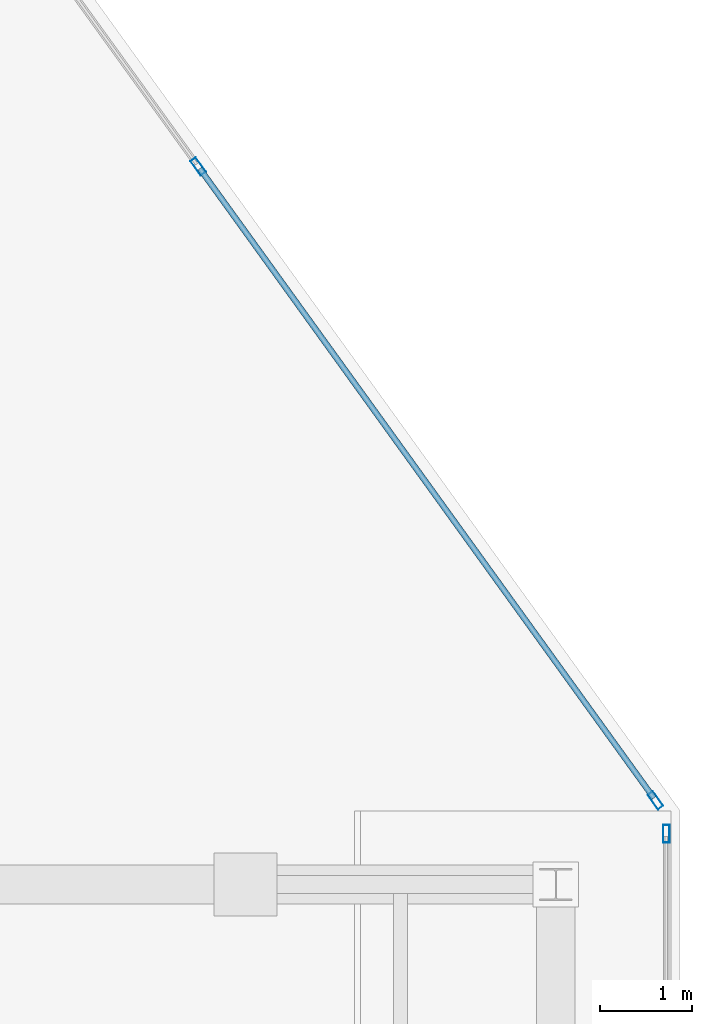
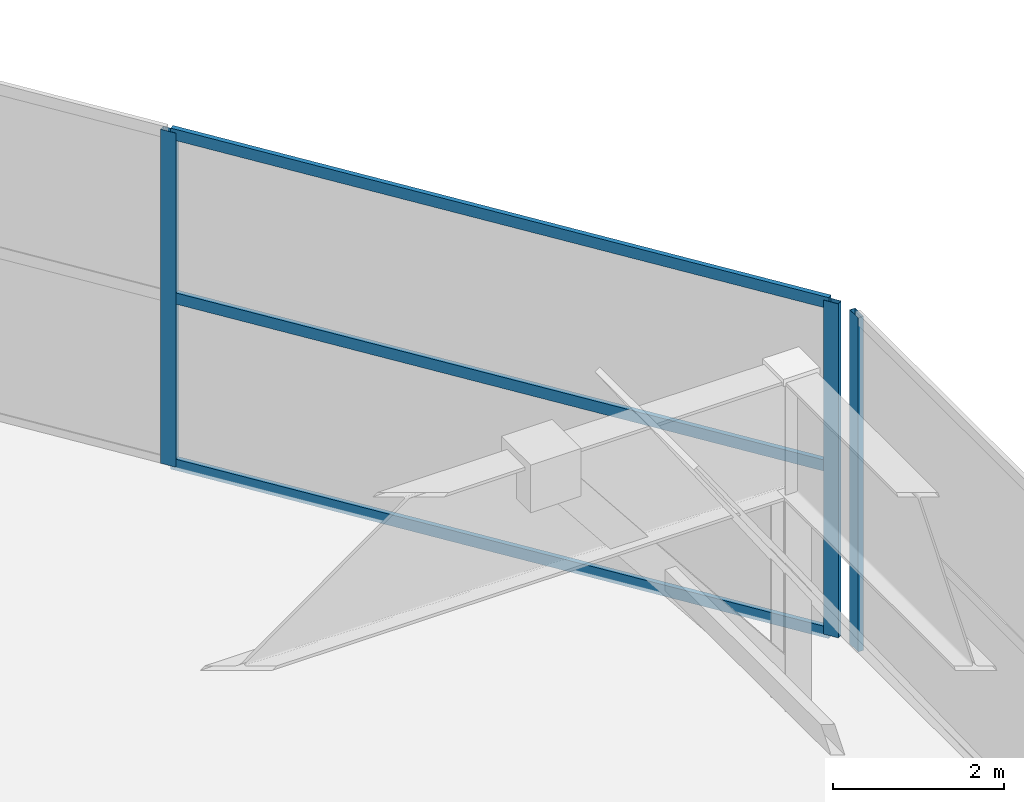
# One storey, part 12 of 21: 6 members, 2 elements without a shape of their own.
"""IFC4 building model written with IfcOpenShell, lengths in metres."""

import ifcopenshell
import ifcopenshell.guid

model = None  # the IFC model being written
_history = None  # IfcOwnerHistory: only IFC2X3 demands one
_inside = {}  # id of a spatial element -> (the spatial element, [elements in it])
_under = {}  # id of a project, library or spatial element -> (it, [spatial elements below it])
_declared = {}  # id of a project -> (the project, [libraries it declares])
_typed = {}  # id of a type object -> (the type object, [elements of that type])
_made_of = {}  # id of a material, layer set ... -> (it, [elements and type objects made of it])


def new_model(schema):
    """Start an empty IFC model of exactly this schema.

    Asked for "IFC4X3", IfcOpenShell would pick the latest addendum, in which some entities
    have other attributes; the version numbers below select the first issue.
    IFC2X3 requires an IfcOwnerHistory on every rooted entity: one is made here for all.
    """
    global model, _history
    if schema == "IFC4X3":
        model = ifcopenshell.file(schema_version=(4, 3, 0, 0))
    else:
        model = ifcopenshell.file(schema=schema)
    _inside.clear()
    _under.clear()
    _declared.clear()
    _typed.clear()
    _made_of.clear()
    _history = None
    if model.schema == "IFC2X3":
        org = make("IfcOrganization", Name="unknown")
        user = make(
            "IfcPersonAndOrganization",
            ThePerson=make("IfcPerson", FamilyName="unknown"),
            TheOrganization=org,
        )
        app = make(
            "IfcApplication",
            ApplicationDeveloper=org,
            Version="unknown",
            ApplicationFullName="unknown",
            ApplicationIdentifier="unknown",
        )
        _history = make(
            "IfcOwnerHistory",
            OwningUser=user,
            OwningApplication=app,
            ChangeAction="ADDED",
            CreationDate=0,
        )
    return model


def make(cls, **values):
    """One entity of the class cls with the attributes given. An attribute that is None is left unset."""
    return model.create_entity(
        cls, **{name: value for name, value in values.items() if value is not None}
    )


def rooted(cls, **values):
    """An entity with a GlobalId (a new one), such as an element, a storey or a relation."""
    return make(cls, GlobalId=ifcopenshell.guid.new(), OwnerHistory=_history, **values)


def si_unit(unit_type, name, prefix=None):
    """IfcSIUnit, for example si_unit("LENGTHUNIT", "METRE", prefix="MILLI")."""
    return make("IfcSIUnit", UnitType=unit_type, Prefix=prefix, Name=name)


def assignment(units):
    """IfcUnitAssignment: the units of a project."""
    return None if units is None else make("IfcUnitAssignment", Units=units)


def point(xyz):
    """IfcCartesianPoint."""
    return None if xyz is None else make("IfcCartesianPoint", Coordinates=xyz)


def direction(xyz):
    """IfcDirection."""
    return None if xyz is None else make("IfcDirection", DirectionRatios=xyz)


def frame(location, z_axis=None, x_axis=None):
    """IfcAxis2Placement3D, a coordinate frame: its origin and axes. An axis left out is left unset."""
    return make(
        "IfcAxis2Placement3D",
        Location=point(location),
        Axis=direction(z_axis),
        RefDirection=direction(x_axis),
    )


def frame_2d(location, x_axis=None):
    """IfcAxis2Placement2D, a coordinate frame in the plane: its origin and x axis."""
    return make(
        "IfcAxis2Placement2D", Location=point(location), RefDirection=direction(x_axis)
    )


def origin():
    """The frame at (0, 0, 0) with its axes left unset."""
    return frame((0.0, 0.0, 0.0))


def origin_2d():
    """The frame at (0, 0) in the plane with its x axis left unset."""
    return frame_2d((0.0, 0.0))


def place(relative_to, where):
    """IfcLocalPlacement: puts the frame where relative to a parent placement (None: the world)."""
    return make(
        "IfcLocalPlacement", PlacementRelTo=relative_to, RelativePlacement=where
    )


def context(
    kind, dimensions, precision=None, world=None, true_north=None, identifier=None
):
    """IfcGeometricRepresentationContext, for example the 3D "Model" context."""
    return make(
        "IfcGeometricRepresentationContext",
        ContextIdentifier=identifier,
        ContextType=kind,
        CoordinateSpaceDimension=dimensions,
        Precision=precision,
        WorldCoordinateSystem=world,
        TrueNorth=true_north,
    )


def subcontext(parent, identifier, kind, view, scale=None):
    """IfcGeometricRepresentationSubContext, for example "Body" below "Model"."""
    return make(
        "IfcGeometricRepresentationSubContext",
        ContextIdentifier=identifier,
        ContextType=kind,
        ParentContext=parent,
        TargetScale=scale,
        TargetView=view,
    )


def project(units=None, contexts=None):
    """IfcProject with its units and contexts."""
    return rooted(
        "IfcProject",
        Name="project",
        RepresentationContexts=contexts,
        UnitsInContext=assignment(units),
    )


def spatial(cls, under=None, at=None, **own):
    """A site, building, storey or space (cls), placed at a placement, below another one or the project."""
    s = rooted(cls, ObjectPlacement=at, **own)
    if under is not None:
        _under.setdefault(under.id(), (under, []))[1].append(s)
    return s


def profile(cls, at=None, kind="AREA", **sizes):
    """A parametric profile (cls). Its sizes go by their IFC names, for example OverallWidth=200.0."""
    return make(cls, ProfileType=kind, Position=at, **sizes)


def hollow_rectangle(**sizes):
    """IfcRectangleHollowProfileDef."""
    return profile("IfcRectangleHollowProfileDef", **sizes)


def extrude(swept, where, along, depth):
    """IfcExtrudedAreaSolid: the profile swept, set in the frame where, extruded along a direction by depth."""
    return make(
        "IfcExtrudedAreaSolid",
        SweptArea=swept,
        Position=where,
        ExtrudedDirection=direction(along),
        Depth=depth,
    )


def shape(context_of_items, identifier, shape_type, items):
    """IfcShapeRepresentation: the items that make up one representation, for example the "Body"."""
    return make(
        "IfcShapeRepresentation",
        ContextOfItems=context_of_items,
        RepresentationIdentifier=identifier,
        RepresentationType=shape_type,
        Items=items,
    )


def material(Name=None, Category=None):
    """IfcMaterial."""
    return make("IfcMaterial", Name=Name, Category=Category)


def layer(
    of_material, thickness, ventilated=None, Name=None, Category=None, Priority=None
):
    """IfcMaterialLayer: one layer of a wall or slab, of a material (None: an air gap)."""
    return make(
        "IfcMaterialLayer",
        Material=of_material,
        LayerThickness=thickness,
        IsVentilated=ventilated,
        Name=Name,
        Category=Category,
        Priority=Priority,
    )


def layer_set(layers, Name=None):
    """IfcMaterialLayerSet."""
    return make("IfcMaterialLayerSet", MaterialLayers=layers, LayerSetName=Name)


def material_profile(
    of_material, cross_section, Name=None, Category=None, Priority=None
):
    """IfcMaterialProfile: a cross section and its material."""
    return make(
        "IfcMaterialProfile",
        Name=Name,
        Material=of_material,
        Profile=cross_section,
        Priority=Priority,
        Category=Category,
    )


def profile_set(profiles, Name=None, composite=None):
    """IfcMaterialProfileSet."""
    return make(
        "IfcMaterialProfileSet",
        Name=Name,
        MaterialProfiles=profiles,
        CompositeProfile=composite,
    )


def made_of(thing, what):
    """Note that an element or type object is made of a material, layer set ...; save() writes the relation."""
    if what is not None:
        _made_of.setdefault(what.id(), (what, []))[1].append(thing)
    return thing


def type_object(cls, material=None, **own):
    """A type object (cls), such as IfcWallType, which elements share."""
    return made_of(rooted(cls, **own), material)


def element(
    cls,
    number,
    at=None,
    inside=None,
    cuts=None,
    type_object=None,
    material=None,
    context=None,
    identifier="Body",
    shape_type=None,
    held_by="IfcProductDefinitionShape",
    body=None,
    shapes=None,
    **own,
):
    """One element of the class cls, such as IfcWall. Its Tag is "e" and its number.

    at: its placement. inside: the storey or other place that contains it. cuts: it is an
    opening in that element (IfcRelVoidsElement). A single representation is given by context,
    identifier, shape_type and body (its items); several are given by shapes. held_by: the class
    of the entity that holds the representations. save() writes the other relations.
    """
    e = rooted(cls, Tag="e%d" % number, ObjectPlacement=at, **own)
    if body is not None:
        shapes = [shape(context, identifier, shape_type, body)]
    if shapes is not None:
        e.Representation = make(held_by, Representations=shapes)
    if inside is not None:
        _inside.setdefault(inside.id(), (inside, []))[1].append(e)
    if cuts is not None:
        rooted(
            "IfcRelVoidsElement", RelatingBuildingElement=cuts, RelatedOpeningElement=e
        )
    if type_object is not None:
        _typed.setdefault(type_object.id(), (type_object, []))[1].append(e)
    return made_of(e, material)


def aggregate(whole, parts):
    """IfcRelAggregates: a whole, such as a stair, and the parts it consists of."""
    return rooted("IfcRelAggregates", RelatingObject=whole, RelatedObjects=parts)


def save(model, path):
    """Write the relations noted so far, then the file.

    IfcRelAggregates (storeys below a building ...), IfcRelContainedInSpatialStructure (elements
    in a storey), IfcRelDefinesByType, IfcRelAssociatesMaterial and IfcRelDeclares: one each for
    every whole, place, type object, material and project.
    """
    for whole, parts in _under.values():
        aggregate(whole, parts)
    for where, things in _inside.values():
        rooted(
            "IfcRelContainedInSpatialStructure",
            RelatedElements=things,
            RelatingStructure=where,
        )
    for kind, things in _typed.values():
        rooted("IfcRelDefinesByType", RelatedObjects=things, RelatingType=kind)
    for what, things in _made_of.values():
        rooted("IfcRelAssociatesMaterial", RelatedObjects=things, RelatingMaterial=what)
    for by, libraries in _declared.values():
        rooted("IfcRelDeclares", RelatingContext=by, RelatedDefinitions=libraries)
    model.write(path)


model = new_model("IFC4")

# Units and contexts
model_context = context("Model", 3, precision=1e-05, world=origin(), true_north=direction((0.0, 1.0)))
body_context = subcontext(model_context, "Body", "Model", "MODEL_VIEW")
ifc_project = project(units=[si_unit("LENGTHUNIT", "METRE"), si_unit("AREAUNIT", "SQUARE_METRE"), si_unit("VOLUMEUNIT", "CUBIC_METRE"), si_unit("PLANEANGLEUNIT", "RADIAN"), si_unit("MASSUNIT", "GRAM", prefix="KILO")], contexts=[model_context])

# Site, building, storey
site_placement = place(None, origin())
site = spatial("IfcSite", under=ifc_project, at=site_placement, CompositionType="ELEMENT")
building_placement = place(site_placement, origin())
building = spatial("IfcBuilding", under=site, at=building_placement, Name="Calvorn Quay Hotel", CompositionType="ELEMENT")
storey_placement = place(building_placement, frame((0.0, 0.0, 330.5)))
storey = spatial("IfcBuildingStorey", under=building, at=storey_placement, Name="L81", CompositionType="ELEMENT", Elevation=330.5)

# Curtain wall, member
ifc_material_1 = material(Name="Pale Anodised Aluminium and Laminated Glass", Category="aluminium")
ifc_layer = layer(ifc_material_1, 0.219970703125)
ifc_layer_set = layer_set([ifc_layer], Name="CW-SYS-CRN")
curtain_wall_type = type_object("IfcCurtainWallType", Name="CW-SYS-CRN", PredefinedType="NOTDEFINED", material=ifc_layer_set)
curtain_wall_1_placement = place(storey_placement, origin())
curtain_wall_1 = element("IfcCurtainWall", 1, at=curtain_wall_1_placement, inside=storey, type_object=curtain_wall_type, Name="Crown Curtain Wall L81-C2", PredefinedType="NOTDEFINED")
ifc_material_2 = material(Name="Pale Anodised Aluminium 6063-T6", Category="aluminium")
ifc_material_profile_1 = material_profile(ifc_material_2, hollow_rectangle(XDim=0.072021484375, YDim=0.195068359375, WallThickness=0.00390625, at=origin_2d()), Name="ALU-M195x72x4")
ifc_profile_set_1 = profile_set([ifc_material_profile_1], Name="Pale Anodised Aluminium 6063-T6")
member_type_1 = type_object("IfcMemberType", Name="CW-SYS-CRN-MUL", PredefinedType="MULLION", material=ifc_profile_set_1)
member_1_placement = place(storey_placement, frame((27.949951171875, 24.14990234375, 0.0), z_axis=(0.0, 0.0, 1.0), x_axis=(-1.0, 0.0, 0.0)))
member_1 = element("IfcMember", 2, at=member_1_placement, type_object=member_type_1, Name="CW-L81-C2 mullion 3", PredefinedType="MULLION", context=body_context, shape_type="SweptSolid", body=[
    extrude(hollow_rectangle(XDim=0.072021484375, YDim=0.195068359375, WallThickness=0.00390625, at=origin_2d()), origin(), (0.0, 0.0, 1.0), 4.760009765625),
])
aggregate(curtain_wall_1, [member_1])

# Curtain wall, members
curtain_wall_2_placement = place(storey_placement, origin())
curtain_wall_2 = element("IfcCurtainWall", 3, at=curtain_wall_2_placement, inside=storey, type_object=curtain_wall_type, Name="Crown Curtain Wall L81-C3", PredefinedType="NOTDEFINED")
member_2_placement = place(storey_placement, frame((27.83154296875, 24.514404296875, 0.0), z_axis=(0.0, 0.0, 1.0), x_axis=(-0.81101368413, -0.585027182405, 0.0)))
member_2 = element("IfcMember", 4, at=member_2_placement, type_object=member_type_1, Name="CW-L81-C3 mullion 1", PredefinedType="MULLION", context=body_context, shape_type="SweptSolid", body=[
    extrude(hollow_rectangle(XDim=0.072021484375, YDim=0.195068359375, WallThickness=0.00390625, at=origin_2d()), origin(), (0.0, 0.0, 1.0), 4.760009765625),
])
member_3_placement = place(storey_placement, frame((22.869384765625, 31.39306640625, 0.0), z_axis=(0.0, 0.0, 1.0), x_axis=(-0.81101368413, -0.585027182405, 0.0)))
member_3 = element("IfcMember", 5, at=member_3_placement, type_object=member_type_1, Name="CW-L81-C3 mullion 2", PredefinedType="MULLION", context=body_context, shape_type="SweptSolid", body=[
    extrude(hollow_rectangle(XDim=0.072021484375, YDim=0.195068359375, WallThickness=0.00390625, at=origin_2d()), origin(), (0.0, 0.0, 1.0), 4.760009765625),
])
ifc_material_3 = material(Name="Pale Anodised Aluminium 6063-T6", Category="aluminium")
ifc_material_profile_2 = material_profile(ifc_material_3, hollow_rectangle(XDim=0.06201171875, YDim=0.159912109375, WallThickness=0.00341796875, at=origin_2d()), Name="ALU-T160x62x3.5")
ifc_profile_set_2 = profile_set([ifc_material_profile_2], Name="Pale Anodised Aluminium 6063-T6")
member_type_2 = type_object("IfcMemberType", Name="CW-SYS-CRN-TRN", PredefinedType="USERDEFINED", material=ifc_profile_set_2)
member_4_placement = place(storey_placement, frame((27.81396484375, 24.53857421875, 0.030029296875), z_axis=(-0.585035333679, 0.811007804122, 0.0), x_axis=(-0.811007804122, -0.585035333679, 0.0)))
member_4 = element("IfcMember", 6, at=member_4_placement, type_object=member_type_2, Name="CW-L81-C3 transom 1.1", ObjectType="TRANSOM", PredefinedType="USERDEFINED", context=body_context, shape_type="SweptSolid", body=[
    extrude(hollow_rectangle(XDim=0.06201171875, YDim=0.159912109375, WallThickness=0.00341796875, at=origin_2d()), origin(), (0.0, 0.0, 1.0), 8.421630859375),
])
member_5_placement = place(storey_placement, frame((27.81396484375, 24.53857421875, 2.39990234375), z_axis=(-0.585035333679, 0.811007804122, 0.0), x_axis=(-0.811007804122, -0.585035333679, 0.0)))
member_5 = element("IfcMember", 7, at=member_5_placement, type_object=member_type_2, Name="CW-L81-C3 transom 1.2", ObjectType="TRANSOM", PredefinedType="USERDEFINED", context=body_context, shape_type="SweptSolid", body=[
    extrude(hollow_rectangle(XDim=0.06201171875, YDim=0.159912109375, WallThickness=0.00341796875, at=origin_2d()), origin(), (0.0, 0.0, 1.0), 8.421630859375),
])
member_6_placement = place(storey_placement, frame((27.81396484375, 24.53857421875, 4.72998046875), z_axis=(-0.585035333679, 0.811007804122, 0.0), x_axis=(-0.811007804122, -0.585035333679, 0.0)))
member_6 = element("IfcMember", 8, at=member_6_placement, type_object=member_type_2, Name="CW-L81-C3 transom 1.3", ObjectType="TRANSOM", PredefinedType="USERDEFINED", context=body_context, shape_type="SweptSolid", body=[
    extrude(hollow_rectangle(XDim=0.06201171875, YDim=0.159912109375, WallThickness=0.00341796875, at=origin_2d()), origin(), (0.0, 0.0, 1.0), 8.421630859375),
])
aggregate(curtain_wall_2, [member_2, member_3, member_4, member_5, member_6])

save(model, "model.ifc")
